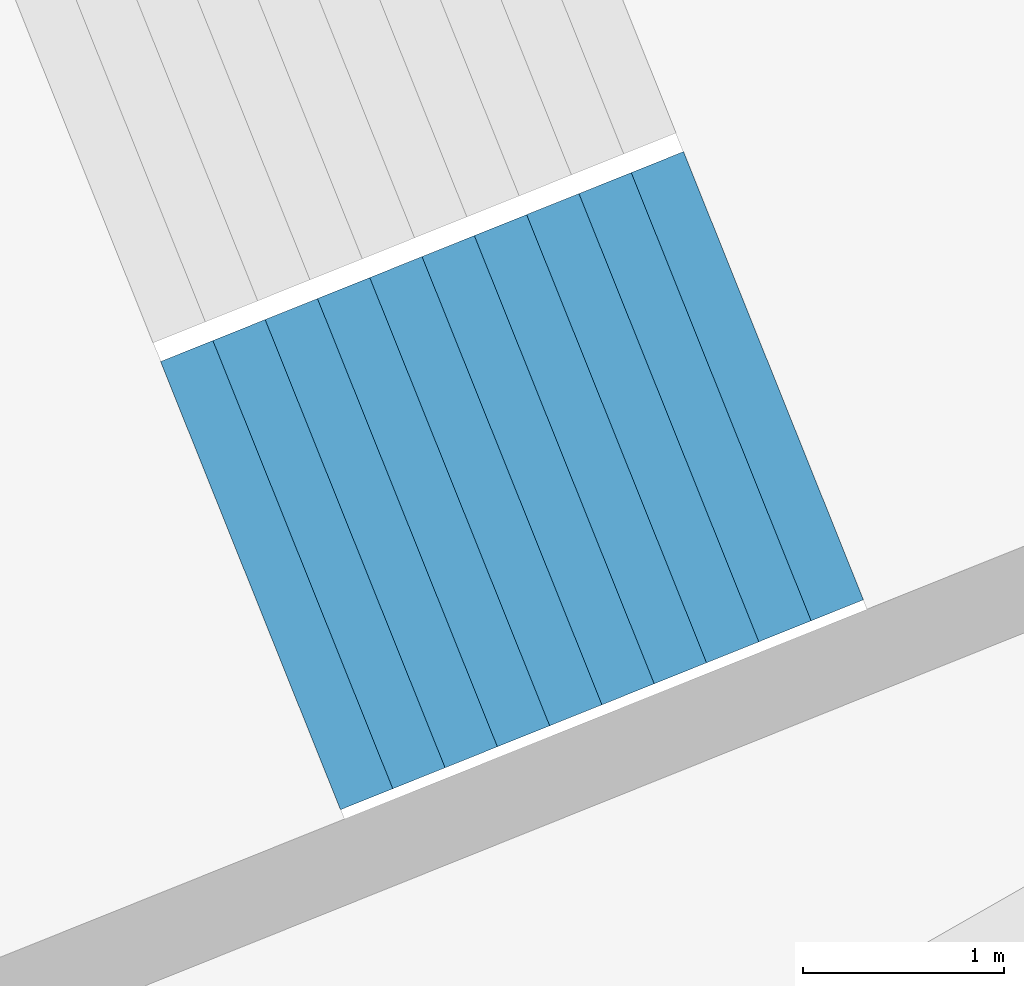
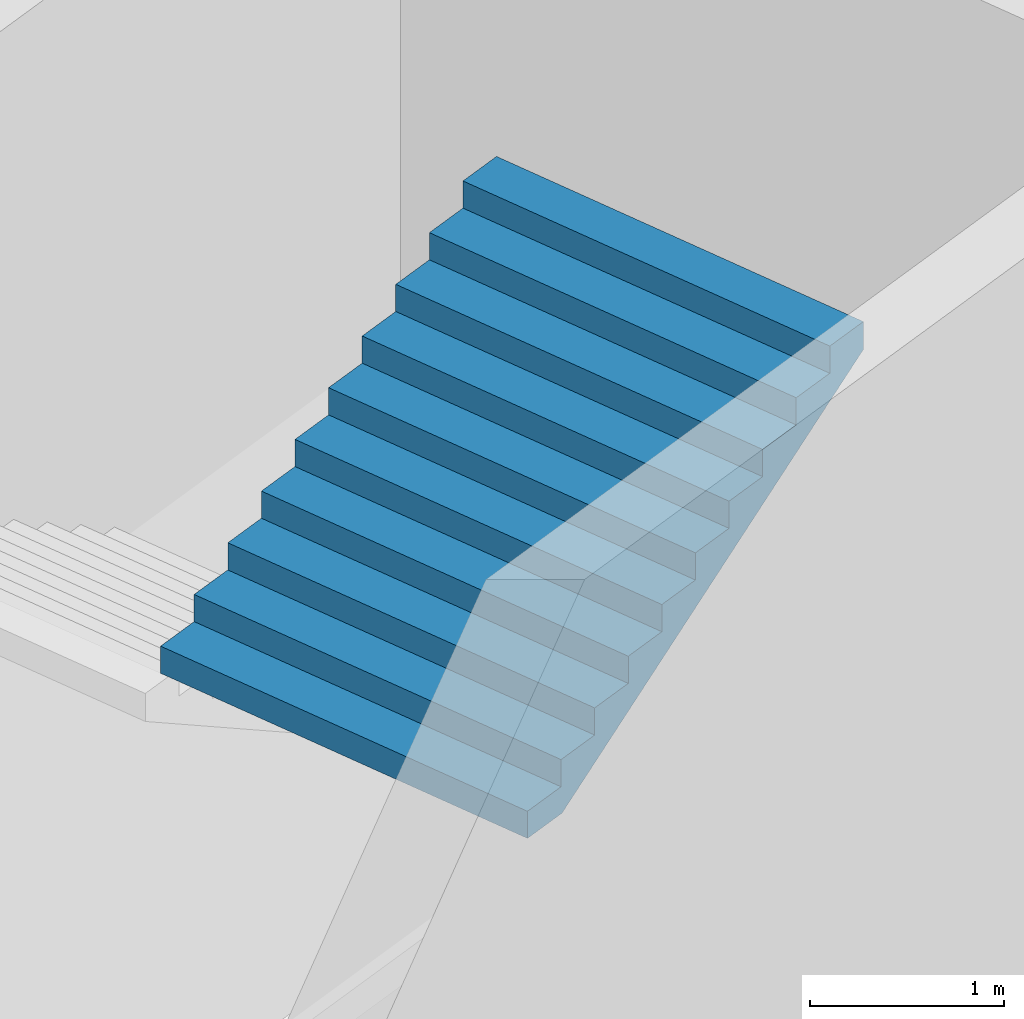
# One storey, part 19 of 73: 1 stair flight, 1 element without a shape of its own.
"""IFC4 building model written with IfcOpenShell, lengths in metres."""

import ifcopenshell
import ifcopenshell.guid

model = None  # the IFC model being written
_history = None  # IfcOwnerHistory: only IFC2X3 demands one
_inside = {}  # id of a spatial element -> (the spatial element, [elements in it])
_under = {}  # id of a project, library or spatial element -> (it, [spatial elements below it])
_declared = {}  # id of a project -> (the project, [libraries it declares])
_typed = {}  # id of a type object -> (the type object, [elements of that type])
_made_of = {}  # id of a material, layer set ... -> (it, [elements and type objects made of it])


def new_model(schema):
    """Start an empty IFC model of exactly this schema.

    Asked for "IFC4X3", IfcOpenShell would pick the latest addendum, in which some entities
    have other attributes; the version numbers below select the first issue.
    IFC2X3 requires an IfcOwnerHistory on every rooted entity: one is made here for all.
    """
    global model, _history
    if schema == "IFC4X3":
        model = ifcopenshell.file(schema_version=(4, 3, 0, 0))
    else:
        model = ifcopenshell.file(schema=schema)
    _inside.clear()
    _under.clear()
    _declared.clear()
    _typed.clear()
    _made_of.clear()
    _history = None
    if model.schema == "IFC2X3":
        org = make("IfcOrganization", Name="unknown")
        user = make(
            "IfcPersonAndOrganization",
            ThePerson=make("IfcPerson", FamilyName="unknown"),
            TheOrganization=org,
        )
        app = make(
            "IfcApplication",
            ApplicationDeveloper=org,
            Version="unknown",
            ApplicationFullName="unknown",
            ApplicationIdentifier="unknown",
        )
        _history = make(
            "IfcOwnerHistory",
            OwningUser=user,
            OwningApplication=app,
            ChangeAction="ADDED",
            CreationDate=0,
        )
    return model


def make(cls, **values):
    """One entity of the class cls with the attributes given. An attribute that is None is left unset."""
    return model.create_entity(
        cls, **{name: value for name, value in values.items() if value is not None}
    )


def rooted(cls, **values):
    """An entity with a GlobalId (a new one), such as an element, a storey or a relation."""
    return make(cls, GlobalId=ifcopenshell.guid.new(), OwnerHistory=_history, **values)


def si_unit(unit_type, name, prefix=None):
    """IfcSIUnit, for example si_unit("LENGTHUNIT", "METRE", prefix="MILLI")."""
    return make("IfcSIUnit", UnitType=unit_type, Prefix=prefix, Name=name)


def assignment(units):
    """IfcUnitAssignment: the units of a project."""
    return None if units is None else make("IfcUnitAssignment", Units=units)


def point(xyz):
    """IfcCartesianPoint."""
    return None if xyz is None else make("IfcCartesianPoint", Coordinates=xyz)


def direction(xyz):
    """IfcDirection."""
    return None if xyz is None else make("IfcDirection", DirectionRatios=xyz)


def frame(location, z_axis=None, x_axis=None):
    """IfcAxis2Placement3D, a coordinate frame: its origin and axes. An axis left out is left unset."""
    return make(
        "IfcAxis2Placement3D",
        Location=point(location),
        Axis=direction(z_axis),
        RefDirection=direction(x_axis),
    )


def origin():
    """The frame at (0, 0, 0) with its axes left unset."""
    return frame((0.0, 0.0, 0.0))


def place(relative_to, where):
    """IfcLocalPlacement: puts the frame where relative to a parent placement (None: the world)."""
    return make(
        "IfcLocalPlacement", PlacementRelTo=relative_to, RelativePlacement=where
    )


def context(
    kind, dimensions, precision=None, world=None, true_north=None, identifier=None
):
    """IfcGeometricRepresentationContext, for example the 3D "Model" context."""
    return make(
        "IfcGeometricRepresentationContext",
        ContextIdentifier=identifier,
        ContextType=kind,
        CoordinateSpaceDimension=dimensions,
        Precision=precision,
        WorldCoordinateSystem=world,
        TrueNorth=true_north,
    )


def subcontext(parent, identifier, kind, view, scale=None):
    """IfcGeometricRepresentationSubContext, for example "Body" below "Model"."""
    return make(
        "IfcGeometricRepresentationSubContext",
        ContextIdentifier=identifier,
        ContextType=kind,
        ParentContext=parent,
        TargetScale=scale,
        TargetView=view,
    )


def project(units=None, contexts=None):
    """IfcProject with its units and contexts."""
    return rooted(
        "IfcProject",
        Name="project",
        RepresentationContexts=contexts,
        UnitsInContext=assignment(units),
    )


def spatial(cls, under=None, at=None, **own):
    """A site, building, storey or space (cls), placed at a placement, below another one or the project."""
    s = rooted(cls, ObjectPlacement=at, **own)
    if under is not None:
        _under.setdefault(under.id(), (under, []))[1].append(s)
    return s


def point_list(points):
    """IfcCartesianPointList2D or 3D."""
    cls = (
        "IfcCartesianPointList2D" if len(points[0]) == 2 else "IfcCartesianPointList3D"
    )
    return make(cls, CoordList=points)


def triangles(points, corners, closed=None, point_numbers=None):
    """IfcTriangulatedFaceSet: each triangle names its three corners, points numbered from 1."""
    return make(
        "IfcTriangulatedFaceSet",
        Coordinates=point_list(points),
        Closed=closed,
        CoordIndex=corners,
        PnIndex=point_numbers,
    )


def shape(context_of_items, identifier, shape_type, items):
    """IfcShapeRepresentation: the items that make up one representation, for example the "Body"."""
    return make(
        "IfcShapeRepresentation",
        ContextOfItems=context_of_items,
        RepresentationIdentifier=identifier,
        RepresentationType=shape_type,
        Items=items,
    )


def material(Name=None, Category=None):
    """IfcMaterial."""
    return make("IfcMaterial", Name=Name, Category=Category)


def made_of(thing, what):
    """Note that an element or type object is made of a material, layer set ...; save() writes the relation."""
    if what is not None:
        _made_of.setdefault(what.id(), (what, []))[1].append(thing)
    return thing


def type_object(cls, material=None, **own):
    """A type object (cls), such as IfcWallType, which elements share."""
    return made_of(rooted(cls, **own), material)


def element(
    cls,
    number,
    at=None,
    inside=None,
    cuts=None,
    type_object=None,
    material=None,
    context=None,
    identifier="Body",
    shape_type=None,
    held_by="IfcProductDefinitionShape",
    body=None,
    shapes=None,
    **own,
):
    """One element of the class cls, such as IfcWall. Its Tag is "e" and its number.

    at: its placement. inside: the storey or other place that contains it. cuts: it is an
    opening in that element (IfcRelVoidsElement). A single representation is given by context,
    identifier, shape_type and body (its items); several are given by shapes. held_by: the class
    of the entity that holds the representations. save() writes the other relations.
    """
    e = rooted(cls, Tag="e%d" % number, ObjectPlacement=at, **own)
    if body is not None:
        shapes = [shape(context, identifier, shape_type, body)]
    if shapes is not None:
        e.Representation = make(held_by, Representations=shapes)
    if inside is not None:
        _inside.setdefault(inside.id(), (inside, []))[1].append(e)
    if cuts is not None:
        rooted(
            "IfcRelVoidsElement", RelatingBuildingElement=cuts, RelatedOpeningElement=e
        )
    if type_object is not None:
        _typed.setdefault(type_object.id(), (type_object, []))[1].append(e)
    return made_of(e, material)


def aggregate(whole, parts):
    """IfcRelAggregates: a whole, such as a stair, and the parts it consists of."""
    return rooted("IfcRelAggregates", RelatingObject=whole, RelatedObjects=parts)


def save(model, path):
    """Write the relations noted so far, then the file.

    IfcRelAggregates (storeys below a building ...), IfcRelContainedInSpatialStructure (elements
    in a storey), IfcRelDefinesByType, IfcRelAssociatesMaterial and IfcRelDeclares: one each for
    every whole, place, type object, material and project.
    """
    for whole, parts in _under.values():
        aggregate(whole, parts)
    for where, things in _inside.values():
        rooted(
            "IfcRelContainedInSpatialStructure",
            RelatedElements=things,
            RelatingStructure=where,
        )
    for kind, things in _typed.values():
        rooted("IfcRelDefinesByType", RelatedObjects=things, RelatingType=kind)
    for what, things in _made_of.values():
        rooted("IfcRelAssociatesMaterial", RelatedObjects=things, RelatingMaterial=what)
    for by, libraries in _declared.values():
        rooted("IfcRelDeclares", RelatingContext=by, RelatedDefinitions=libraries)
    model.write(path)


model = new_model("IFC4")

# Units and contexts
model_context = context("Model", 3, precision=1e-05, world=origin(), true_north=direction((0.0, 1.0)))
body_context = subcontext(model_context, "Body", "Model", "MODEL_VIEW")
ifc_project = project(units=[si_unit("LENGTHUNIT", "METRE"), si_unit("AREAUNIT", "SQUARE_METRE"), si_unit("VOLUMEUNIT", "CUBIC_METRE"), si_unit("PLANEANGLEUNIT", "RADIAN"), si_unit("MASSUNIT", "GRAM", prefix="KILO")], contexts=[model_context])

# Site, building, storey
site_placement = place(None, origin())
site = spatial("IfcSite", under=ifc_project, at=site_placement, CompositionType="ELEMENT")
building_placement = place(site_placement, origin())
building = spatial("IfcBuilding", under=site, at=building_placement, Name="Lantaw Convention Tower", CompositionType="ELEMENT")
storey_placement = place(building_placement, frame((0.0, 0.0, 14.5)))
storey = spatial("IfcBuildingStorey", under=building, at=storey_placement, Name="L02", CompositionType="ELEMENT", Elevation=14.5)

# Stair, stair flight
ifc_material = material(Name="Concrete C35/45", Category="concrete")
stair_type = type_object("IfcStairType", Name="Exit stair 2400 riser 170.45 in 4 flights", PredefinedType="HALF_TURN_STAIR", material=ifc_material)
stair_placement = place(storey_placement, origin())
stair = element("IfcStair", 1, at=stair_placement, inside=storey, type_object=stair_type, Name="Podium exit stair P11 L02", PredefinedType="HALF_TURN_STAIR")
stair_flight_type = type_object("IfcStairFlightType", Name="Stair flight 2400 riser 170.45", PredefinedType="STRAIGHT", material=ifc_material)
stair_flight_placement = place(storey_placement, frame((-31.684814453125, -14.06640625, 5.625), z_axis=(0.0, 0.0, 1.0), x_axis=(0.928015168305, 0.372542410198, 0.0)))
stair_flight = element("IfcStairFlight", 2, at=stair_flight_placement, type_object=stair_flight_type, Name="P11 flight 4", NumberOfRisers=11, NumberOfTreads=10, PredefinedType="STRAIGHT", RiserHeight=0.170454545, TreadLength=0.28, context=body_context, shape_type="Tessellation", body=[
    triangles([(0.0, 1.199951171875, 0.0), (0.0, 1.199951171875, 0.170454545), (0.28, 1.199951171875, 0.0), (0.28, 1.199951171875, 0.170454545), (0.28, 1.199951171875, 0.34090909), (0.28827876332691904, 1.199951171875, 0.0), (0.28827876332691904, 1.199951171875, 0.34090909), (0.56, 1.199951171875, 0.16541471344266906), (0.56, 1.199951171875, 0.34090909), (0.56, 1.199951171875, 0.511363635), (0.8400000000000001, 1.199951171875, 0.335869258442669), (0.8400000000000001, 1.199951171875, 0.511363635), (0.8400000000000001, 1.199951171875, 0.68181818), (1.12, 1.199951171875, 0.506323803442669), (1.12, 1.199951171875, 0.68181818), (1.12, 1.199951171875, 0.8522727250000001), (1.4000000000000001, 1.199951171875, 0.676778348442669), (1.4000000000000001, 1.199951171875, 0.8522727250000001), (1.4000000000000001, 1.199951171875, 1.02272727), (1.6800000000000002, 1.199951171875, 0.847232893442669), (1.6800000000000002, 1.199951171875, 1.02272727), (1.6800000000000002, 1.199951171875, 1.193181815), (1.9600000000000002, 1.199951171875, 1.017687438442669), (1.9600000000000002, 1.199951171875, 1.193181815), (1.9600000000000002, 1.199951171875, 1.36363636), (2.24, 1.199951171875, 1.188141983442669), (2.24, 1.199951171875, 1.36363636), (2.24, 1.199951171875, 1.5340909050000002), (2.5200000000000005, 1.199951171875, 1.358596528442669), (2.5200000000000005, 1.199951171875, 1.5340909050000002), (2.5200000000000005, 1.199951171875, 1.7045454500000001), (2.8000000000000003, 1.199951171875, 1.529051073442669), (2.8000000000000003, 1.199951171875, 1.7045454500000001), (0.0, -1.199951171875, 0.0), (0.0, -1.199951171875, 0.170454545), (0.28, -1.199951171875, 0.0), (0.28, -1.199951171875, 0.170454545), (0.28, -1.199951171875, 0.34090909), (0.28827876332691904, -1.199951171875, 0.0), (0.28827876332691904, -1.199951171875, 0.34090909), (0.56, -1.199951171875, 0.16541471344266906), (0.56, -1.199951171875, 0.34090909), (0.56, -1.199951171875, 0.511363635), (0.8400000000000001, -1.199951171875, 0.335869258442669), (0.8400000000000001, -1.199951171875, 0.511363635), (0.8400000000000001, -1.199951171875, 0.68181818), (1.12, -1.199951171875, 0.506323803442669), (1.12, -1.199951171875, 0.68181818), (1.12, -1.199951171875, 0.8522727250000001), (1.4000000000000001, -1.199951171875, 0.676778348442669), (1.4000000000000001, -1.199951171875, 0.8522727250000001), (1.4000000000000001, -1.199951171875, 1.02272727), (1.6800000000000002, -1.199951171875, 0.847232893442669), (1.6800000000000002, -1.199951171875, 1.02272727), (1.6800000000000002, -1.199951171875, 1.193181815), (1.9600000000000002, -1.199951171875, 1.017687438442669), (1.9600000000000002, -1.199951171875, 1.193181815), (1.9600000000000002, -1.199951171875, 1.36363636), (2.24, -1.199951171875, 1.188141983442669), (2.24, -1.199951171875, 1.36363636), (2.24, -1.199951171875, 1.5340909050000002), (2.5200000000000005, -1.199951171875, 1.358596528442669), (2.5200000000000005, -1.199951171875, 1.5340909050000002), (2.5200000000000005, -1.199951171875, 1.7045454500000001), (2.8000000000000003, -1.199951171875, 1.529051073442669), (2.8000000000000003, -1.199951171875, 1.7045454500000001), (0.0, 0.239990234375, 0.170454545), (0.0, 0.239990234375, 0.0), (0.0, 0.1199951171875, 0.170454545), (0.0, 0.1199951171875, 0.0), (0.0, 0.0, 0.170454545), (0.0, 0.0, 0.0), (0.0, -0.1199951171875, 0.170454545), (0.0, -0.1199951171875, 0.0), (0.0, -0.239990234375, 0.170454545), (0.0, -0.239990234375, 0.0), (0.28, 0.239990234375, 0.34090909), (0.28, 0.239990234375, 0.170454545), (0.28, 0.1199951171875, 0.34090909), (0.28, 0.1199951171875, 0.170454545), (0.28, 0.0, 0.34090909), (0.28, 0.0, 0.170454545), (0.28, -0.1199951171875, 0.34090909), (0.28, -0.1199951171875, 0.170454545), (0.28, -0.239990234375, 0.34090909), (0.28, -0.239990234375, 0.170454545), (0.56, 0.239990234375, 0.511363635), (0.56, 0.239990234375, 0.34090909), (0.56, 0.1199951171875, 0.511363635), (0.56, 0.1199951171875, 0.34090909), (0.56, 0.0, 0.511363635), (0.56, 0.0, 0.34090909), (0.56, -0.1199951171875, 0.511363635), (0.56, -0.1199951171875, 0.34090909), (0.56, -0.239990234375, 0.511363635), (0.56, -0.239990234375, 0.34090909), (0.8400000000000001, 0.239990234375, 0.68181818), (0.8400000000000001, 0.239990234375, 0.511363635), (0.8400000000000001, 0.1199951171875, 0.68181818), (0.8400000000000001, 0.1199951171875, 0.511363635), (0.8400000000000001, 0.0, 0.68181818), (0.8400000000000001, 0.0, 0.511363635), (0.8400000000000001, -0.1199951171875, 0.68181818), (0.8400000000000001, -0.1199951171875, 0.511363635), (0.8400000000000001, -0.239990234375, 0.68181818), (0.8400000000000001, -0.239990234375, 0.511363635), (1.12, 0.239990234375, 0.8522727250000001), (1.12, 0.239990234375, 0.68181818), (1.12, 0.1199951171875, 0.8522727250000001), (1.12, 0.1199951171875, 0.68181818), (1.12, 0.0, 0.8522727250000001), (1.12, 0.0, 0.68181818), (1.12, -0.1199951171875, 0.8522727250000001), (1.12, -0.1199951171875, 0.68181818), (1.12, -0.239990234375, 0.8522727250000001), (1.12, -0.239990234375, 0.68181818), (1.4000000000000001, 0.239990234375, 1.02272727), (1.4000000000000001, 0.239990234375, 0.8522727250000001), (1.4000000000000001, 0.1199951171875, 1.02272727), (1.4000000000000001, 0.1199951171875, 0.8522727250000001), (1.4000000000000001, 0.0, 1.02272727), (1.4000000000000001, 0.0, 0.8522727250000001), (1.4000000000000001, -0.1199951171875, 1.02272727), (1.4000000000000001, -0.1199951171875, 0.8522727250000001), (1.4000000000000001, -0.239990234375, 1.02272727), (1.4000000000000001, -0.239990234375, 0.8522727250000001), (1.6800000000000002, 0.239990234375, 1.193181815), (1.6800000000000002, 0.239990234375, 1.02272727), (1.6800000000000002, 0.1199951171875, 1.193181815), (1.6800000000000002, 0.1199951171875, 1.02272727), (1.6800000000000002, 0.0, 1.193181815), (1.6800000000000002, 0.0, 1.02272727), (1.6800000000000002, -0.1199951171875, 1.193181815), (1.6800000000000002, -0.1199951171875, 1.02272727), (1.6800000000000002, -0.239990234375, 1.193181815), (1.6800000000000002, -0.239990234375, 1.02272727), (1.9600000000000002, 0.239990234375, 1.36363636), (1.9600000000000002, 0.239990234375, 1.193181815), (1.9600000000000002, 0.1199951171875, 1.36363636), (1.9600000000000002, 0.1199951171875, 1.193181815), (1.9600000000000002, 0.0, 1.36363636), (1.9600000000000002, 0.0, 1.193181815), (1.9600000000000002, -0.1199951171875, 1.36363636), (1.9600000000000002, -0.1199951171875, 1.193181815), (1.9600000000000002, -0.239990234375, 1.36363636), (1.9600000000000002, -0.239990234375, 1.193181815), (2.24, 0.239990234375, 1.5340909050000002), (2.24, 0.239990234375, 1.36363636), (2.24, 0.1199951171875, 1.5340909050000002), (2.24, 0.1199951171875, 1.36363636), (2.24, 0.0, 1.5340909050000002), (2.24, 0.0, 1.36363636), (2.24, -0.1199951171875, 1.5340909050000002), (2.24, -0.1199951171875, 1.36363636), (2.24, -0.239990234375, 1.5340909050000002), (2.24, -0.239990234375, 1.36363636), (2.5200000000000005, 0.239990234375, 1.7045454500000001), (2.5200000000000005, 0.239990234375, 1.5340909050000002), (2.5200000000000005, 0.1199951171875, 1.7045454500000001), (2.5200000000000005, 0.1199951171875, 1.5340909050000002), (2.5200000000000005, 0.0, 1.7045454500000001), (2.5200000000000005, 0.0, 1.5340909050000002), (2.5200000000000005, -0.1199951171875, 1.7045454500000001), (2.5200000000000005, -0.1199951171875, 1.5340909050000002), (2.5200000000000005, -0.239990234375, 1.7045454500000001), (2.5200000000000005, -0.239990234375, 1.5340909050000002), (0.28827876332691904, 0.239990234375, 0.34090909), (0.28827876332691904, 0.1199951171875, 0.34090909), (0.28827876332691904, 0.0, 0.34090909), (0.28827876332691904, -0.1199951171875, 0.34090909), (0.28827876332691904, -0.239990234375, 0.34090909), (2.8000000000000003, 0.239990234375, 1.7045454500000001), (2.8000000000000003, 0.1199951171875, 1.7045454500000001), (2.8000000000000003, 0.0, 1.7045454500000001), (2.8000000000000003, -0.1199951171875, 1.7045454500000001), (2.8000000000000003, -0.239990234375, 1.7045454500000001), (2.8000000000000003, 0.239990234375, 1.5290510734426692), (2.8000000000000003, 0.1199951171875, 1.5290510734426692), (2.8000000000000003, 0.0, 1.5290510734426692), (2.8000000000000003, -0.1199951171875, 1.5290510734426692), (2.8000000000000003, -0.239990234375, 1.5290510734426692), (2.5200000000000005, 0.239990234375, 1.358596528442669), (2.5200000000000005, 0.1199951171875, 1.358596528442669), (2.5200000000000005, 0.0, 1.358596528442669), (2.5200000000000005, -0.1199951171875, 1.358596528442669), (2.5200000000000005, -0.239990234375, 1.358596528442669), (2.24, 0.239990234375, 1.188141983442669), (2.24, 0.1199951171875, 1.188141983442669), (2.24, 0.0, 1.188141983442669), (2.24, -0.1199951171875, 1.188141983442669), (2.24, -0.239990234375, 1.188141983442669), (1.9600000000000002, 0.239990234375, 1.017687438442669), (1.9600000000000002, 0.1199951171875, 1.017687438442669), (1.9600000000000002, 0.0, 1.017687438442669), (1.9600000000000002, -0.1199951171875, 1.017687438442669), (1.9600000000000002, -0.239990234375, 1.017687438442669), (1.6800000000000002, 0.239990234375, 0.847232893442669), (1.6800000000000002, 0.1199951171875, 0.847232893442669), (1.6800000000000002, 0.0, 0.847232893442669), (1.6800000000000002, -0.1199951171875, 0.847232893442669), (1.6800000000000002, -0.239990234375, 0.847232893442669), (1.4000000000000001, 0.239990234375, 0.676778348442669), (1.4000000000000001, 0.1199951171875, 0.676778348442669), (1.4000000000000001, 0.0, 0.676778348442669), (1.4000000000000001, -0.1199951171875, 0.676778348442669), (1.4000000000000001, -0.239990234375, 0.676778348442669), (1.12, 0.239990234375, 0.506323803442669), (1.12, 0.1199951171875, 0.506323803442669), (1.12, 0.0, 0.506323803442669), (1.12, -0.1199951171875, 0.506323803442669), (1.12, -0.239990234375, 0.506323803442669), (0.8400000000000001, 0.239990234375, 0.335869258442669), (0.8400000000000001, 0.1199951171875, 0.335869258442669), (0.8400000000000001, 0.0, 0.335869258442669), (0.8400000000000001, -0.1199951171875, 0.335869258442669), (0.8400000000000001, -0.239990234375, 0.335869258442669), (0.56, 0.239990234375, 0.16541471344266906), (0.56, 0.1199951171875, 0.16541471344266906), (0.56, 0.0, 0.16541471344266906), (0.56, -0.1199951171875, 0.16541471344266906), (0.56, -0.239990234375, 0.16541471344266906), (0.28827876332691904, 0.239990234375, 0.0), (0.28827876332691904, 0.1199951171875, 0.0), (0.28827876332691904, 0.0, 0.0), (0.28827876332691904, -0.1199951171875, 0.0), (0.28827876332691904, -0.239990234375, 0.0), (0.28, 0.239990234375, 0.0), (0.28, 0.1199951171875, 0.0), (0.28, 0.0, 0.0), (0.28, -0.1199951171875, 0.0), (0.28, -0.239990234375, 0.0)], [[1, 4, 3], [1, 2, 4], [3, 4, 6], [4, 7, 6], [4, 5, 7], [6, 9, 8], [6, 7, 9], [8, 9, 11], [9, 12, 11], [9, 10, 12], [11, 12, 14], [12, 15, 14], [12, 13, 15], [14, 15, 17], [15, 18, 17], [15, 16, 18], [17, 18, 20], [18, 21, 20], [18, 19, 21], [20, 21, 23], [21, 24, 23], [21, 22, 24], [23, 24, 26], [24, 27, 26], [24, 25, 27], [26, 27, 29], [27, 30, 29], [27, 28, 30], [29, 30, 32], [30, 33, 32], [30, 31, 33], [34, 36, 37], [34, 37, 35], [36, 39, 37], [37, 39, 40], [37, 40, 38], [39, 41, 42], [39, 42, 40], [41, 44, 42], [42, 44, 45], [42, 45, 43], [44, 47, 45], [45, 47, 48], [45, 48, 46], [47, 50, 48], [48, 50, 51], [48, 51, 49], [50, 53, 51], [51, 53, 54], [51, 54, 52], [53, 56, 54], [54, 56, 57], [54, 57, 55], [56, 59, 57], [57, 59, 60], [57, 60, 58], [59, 62, 60], [60, 62, 63], [60, 63, 61], [62, 65, 63], [63, 65, 66], [63, 66, 64], [1, 67, 2], [1, 68, 67], [68, 69, 67], [68, 70, 69], [70, 71, 69], [70, 72, 71], [72, 73, 71], [72, 74, 73], [74, 75, 73], [74, 76, 75], [76, 35, 75], [76, 34, 35], [4, 77, 5], [4, 78, 77], [78, 79, 77], [78, 80, 79], [80, 81, 79], [80, 82, 81], [82, 83, 81], [82, 84, 83], [84, 85, 83], [84, 86, 85], [86, 38, 85], [86, 37, 38], [9, 87, 10], [9, 88, 87], [88, 89, 87], [88, 90, 89], [90, 91, 89], [90, 92, 91], [92, 93, 91], [92, 94, 93], [94, 95, 93], [94, 96, 95], [96, 43, 95], [96, 42, 43], [12, 97, 13], [12, 98, 97], [98, 99, 97], [98, 100, 99], [100, 101, 99], [100, 102, 101], [102, 103, 101], [102, 104, 103], [104, 105, 103], [104, 106, 105], [106, 46, 105], [106, 45, 46], [15, 107, 16], [15, 108, 107], [108, 109, 107], [108, 110, 109], [110, 111, 109], [110, 112, 111], [112, 113, 111], [112, 114, 113], [114, 115, 113], [114, 116, 115], [116, 49, 115], [116, 48, 49], [18, 117, 19], [18, 118, 117], [118, 119, 117], [118, 120, 119], [120, 121, 119], [120, 122, 121], [122, 123, 121], [122, 124, 123], [124, 125, 123], [124, 126, 125], [126, 52, 125], [126, 51, 52], [21, 127, 22], [21, 128, 127], [128, 129, 127], [128, 130, 129], [130, 131, 129], [130, 132, 131], [132, 133, 131], [132, 134, 133], [134, 135, 133], [134, 136, 135], [136, 55, 135], [136, 54, 55], [24, 137, 25], [24, 138, 137], [138, 139, 137], [138, 140, 139], [140, 141, 139], [140, 142, 141], [142, 143, 141], [142, 144, 143], [144, 145, 143], [144, 146, 145], [146, 58, 145], [146, 57, 58], [27, 147, 28], [27, 148, 147], [148, 149, 147], [148, 150, 149], [150, 151, 149], [150, 152, 151], [152, 153, 151], [152, 154, 153], [154, 155, 153], [154, 156, 155], [156, 61, 155], [156, 60, 61], [30, 157, 31], [30, 158, 157], [158, 159, 157], [158, 160, 159], [160, 161, 159], [160, 162, 161], [162, 163, 161], [162, 164, 163], [164, 165, 163], [164, 166, 165], [166, 64, 165], [166, 63, 64], [2, 78, 4], [2, 67, 78], [67, 80, 78], [67, 69, 80], [69, 82, 80], [69, 71, 82], [71, 84, 82], [71, 73, 84], [73, 86, 84], [73, 75, 86], [75, 37, 86], [75, 35, 37], [5, 167, 7], [5, 77, 167], [77, 168, 167], [77, 79, 168], [79, 169, 168], [79, 81, 169], [81, 170, 169], [81, 83, 170], [83, 171, 170], [83, 85, 171], [85, 40, 171], [85, 38, 40], [7, 88, 9], [7, 167, 88], [167, 90, 88], [167, 168, 90], [168, 92, 90], [168, 169, 92], [169, 94, 92], [169, 170, 94], [170, 96, 94], [170, 171, 96], [171, 42, 96], [171, 40, 42], [10, 98, 12], [10, 87, 98], [87, 100, 98], [87, 89, 100], [89, 102, 100], [89, 91, 102], [91, 104, 102], [91, 93, 104], [93, 106, 104], [93, 95, 106], [95, 45, 106], [95, 43, 45], [13, 108, 15], [13, 97, 108], [97, 110, 108], [97, 99, 110], [99, 112, 110], [99, 101, 112], [101, 114, 112], [101, 103, 114], [103, 116, 114], [103, 105, 116], [105, 48, 116], [105, 46, 48], [16, 118, 18], [16, 107, 118], [107, 120, 118], [107, 109, 120], [109, 122, 120], [109, 111, 122], [111, 124, 122], [111, 113, 124], [113, 126, 124], [113, 115, 126], [115, 51, 126], [115, 49, 51], [19, 128, 21], [19, 117, 128], [117, 130, 128], [117, 119, 130], [119, 132, 130], [119, 121, 132], [121, 134, 132], [121, 123, 134], [123, 136, 134], [123, 125, 136], [125, 54, 136], [125, 52, 54], [22, 138, 24], [22, 127, 138], [127, 140, 138], [127, 129, 140], [129, 142, 140], [129, 131, 142], [131, 144, 142], [131, 133, 144], [133, 146, 144], [133, 135, 146], [135, 57, 146], [135, 55, 57], [25, 148, 27], [25, 137, 148], [137, 150, 148], [137, 139, 150], [139, 152, 150], [139, 141, 152], [141, 154, 152], [141, 143, 154], [143, 156, 154], [143, 145, 156], [145, 60, 156], [145, 58, 60], [28, 158, 30], [28, 147, 158], [147, 160, 158], [147, 149, 160], [149, 162, 160], [149, 151, 162], [151, 164, 162], [151, 153, 164], [153, 166, 164], [153, 155, 166], [155, 63, 166], [155, 61, 63], [31, 172, 33], [31, 157, 172], [157, 173, 172], [157, 159, 173], [159, 174, 173], [159, 161, 174], [161, 175, 174], [161, 163, 175], [163, 176, 175], [163, 165, 176], [165, 66, 176], [165, 64, 66], [33, 177, 32], [33, 172, 177], [172, 178, 177], [172, 173, 178], [173, 179, 178], [173, 174, 179], [174, 180, 179], [174, 175, 180], [175, 181, 180], [175, 176, 181], [176, 65, 181], [176, 66, 65], [32, 182, 29], [32, 177, 182], [177, 183, 182], [177, 178, 183], [178, 184, 183], [178, 179, 184], [179, 185, 184], [179, 180, 185], [180, 186, 185], [180, 181, 186], [181, 62, 186], [181, 65, 62], [29, 187, 26], [29, 182, 187], [182, 188, 187], [182, 183, 188], [183, 189, 188], [183, 184, 189], [184, 190, 189], [184, 185, 190], [185, 191, 190], [185, 186, 191], [186, 59, 191], [186, 62, 59], [26, 192, 23], [26, 187, 192], [187, 193, 192], [187, 188, 193], [188, 194, 193], [188, 189, 194], [189, 195, 194], [189, 190, 195], [190, 196, 195], [190, 191, 196], [191, 56, 196], [191, 59, 56], [23, 197, 20], [23, 192, 197], [192, 198, 197], [192, 193, 198], [193, 199, 198], [193, 194, 199], [194, 200, 199], [194, 195, 200], [195, 201, 200], [195, 196, 201], [196, 53, 201], [196, 56, 53], [20, 202, 17], [20, 197, 202], [197, 203, 202], [197, 198, 203], [198, 204, 203], [198, 199, 204], [199, 205, 204], [199, 200, 205], [200, 206, 205], [200, 201, 206], [201, 50, 206], [201, 53, 50], [17, 207, 14], [17, 202, 207], [202, 208, 207], [202, 203, 208], [203, 209, 208], [203, 204, 209], [204, 210, 209], [204, 205, 210], [205, 211, 210], [205, 206, 211], [206, 47, 211], [206, 50, 47], [14, 212, 11], [14, 207, 212], [207, 213, 212], [207, 208, 213], [208, 214, 213], [208, 209, 214], [209, 215, 214], [209, 210, 215], [210, 216, 215], [210, 211, 216], [211, 44, 216], [211, 47, 44], [11, 217, 8], [11, 212, 217], [212, 218, 217], [212, 213, 218], [213, 219, 218], [213, 214, 219], [214, 220, 219], [214, 215, 220], [215, 221, 220], [215, 216, 221], [216, 41, 221], [216, 44, 41], [8, 222, 6], [8, 217, 222], [217, 223, 222], [217, 218, 223], [218, 224, 223], [218, 219, 224], [219, 225, 224], [219, 220, 225], [220, 226, 225], [220, 221, 226], [221, 39, 226], [221, 41, 39], [6, 227, 3], [6, 222, 227], [222, 228, 227], [222, 223, 228], [223, 229, 228], [223, 224, 229], [224, 230, 229], [224, 225, 230], [225, 231, 230], [225, 226, 231], [226, 36, 231], [226, 39, 36], [3, 68, 1], [3, 227, 68], [227, 70, 68], [227, 228, 70], [228, 72, 70], [228, 229, 72], [229, 74, 72], [229, 230, 74], [230, 76, 74], [230, 231, 76], [231, 34, 76], [231, 36, 34]], closed=True),
])
aggregate(stair, [stair_flight])

save(model, "model.ifc")
